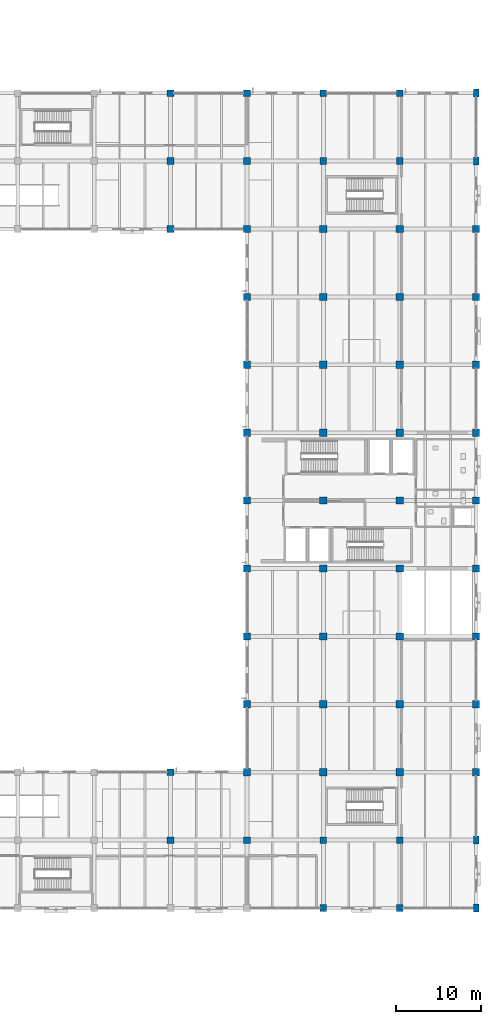
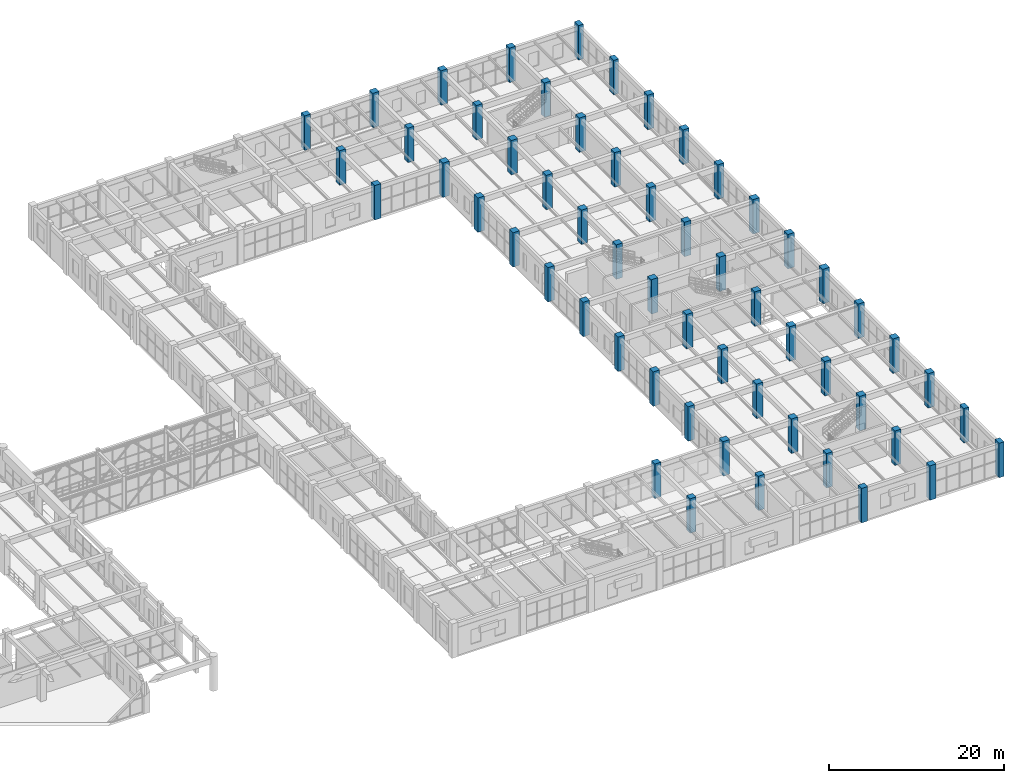
# One storey, part 10 of 178: 56 columns.
"""IFC4 building model written with IfcOpenShell, lengths in metres."""

from ifc_helpers import new_model, si_unit, derived_unit, direction, frame, origin, origin_2d, place, context, subcontext, project, spatial, rectangle, extrude, material, material_profile, profile_set, type_object, element, save


model = new_model("IFC4")

# Units and contexts
model_context = context("Model", 3, precision=1e-05, world=origin(), true_north=direction((0.0, 1.0)))
body_context = subcontext(model_context, "Body", "Model", "MODEL_VIEW")
ifc_project = project(units=[si_unit("LENGTHUNIT", "METRE"), si_unit("AREAUNIT", "SQUARE_METRE"), si_unit("VOLUMEUNIT", "CUBIC_METRE"), si_unit("PLANEANGLEUNIT", "RADIAN"), si_unit("MASSUNIT", "GRAM", prefix="KILO"), derived_unit("THERMALTRANSMITTANCEUNIT", [(si_unit("MASSUNIT", "GRAM", prefix="KILO"), 1), (si_unit("TIMEUNIT", "SECOND"), -3), (si_unit("THERMODYNAMICTEMPERATUREUNIT", "KELVIN"), -1)])], contexts=[model_context])

# Site, building, storey
site_placement = place(None, origin())
site = spatial("IfcSite", under=ifc_project, at=site_placement, CompositionType="ELEMENT")
building_placement = place(site_placement, origin())
building = spatial("IfcBuilding", under=site, at=building_placement, Name="Zhenchuan Archway Interchange", CompositionType="ELEMENT")
storey_placement = place(building_placement, frame((0.0, 0.0, 5.39990234375)))
storey = spatial("IfcBuildingStorey", under=building, at=storey_placement, Name="L01", CompositionType="ELEMENT", Elevation=5.39990234375)

# Columns
ifc_material_1 = material(Name="Concrete C40", Category="concrete")
ifc_material_profile_1 = material_profile(ifc_material_1, rectangle(XDim=0.64990234375, YDim=0.949951171875, at=origin_2d()), Name="RC 650x950")
ifc_profile_set_1 = profile_set([ifc_material_profile_1], Name="Concrete C40")
column_type_1 = type_object("IfcColumnType", Name="COL_RC_650x950", PredefinedType="COLUMN", material=ifc_profile_set_1)
for number, where, z_axis, x_axis, name in (
    (1, (171.0, 8.0, 0.0), (0.0, 0.0, 1.0), (1.0, 0.0, 0.0), "Column 20/B (L01)"),
    (2, (171.0, 16.0, 0.0), (0.0, 0.0, 1.0), (1.0, 0.0, 0.0), "Column 20/C (L01)"),
    (3, (171.0, 96.0, 0.0), (0.0, 0.0, 1.0), (1.0, 0.0, 0.0), "Column 20/N (L01)"),
    (4, (171.0, 104.0, 0.0), (0.0, 0.0, 1.0), (1.0, 0.0, 0.0), "Column 20/O (L01)"),
):
    element("IfcColumn", number, at=place(storey_placement, frame(where, z_axis=z_axis, x_axis=x_axis)), inside=storey, type_object=column_type_1, Name=name, PredefinedType="COLUMN", context=body_context, shape_type="SweptSolid", body=[
        extrude(rectangle(XDim=0.64990234375, YDim=0.949951171875, at=origin_2d()), origin(), (0.0, 0.0, 1.0), 4.800048828125),
    ])
ifc_material_profile_2 = material_profile(ifc_material_1, rectangle(XDim=0.800048828125, YDim=0.800048828125, at=origin_2d()), Name="RC 800x800")
ifc_profile_set_2 = profile_set([ifc_material_profile_2], Name="Concrete C40")
column_type_2 = type_object("IfcColumnType", Name="COL_RC_800", PredefinedType="COLUMN", material=ifc_profile_set_2)
for number, where, z_axis, x_axis, name in (
    (5, (135.0, 16.0, 0.0), (0.0, 0.0, 1.0), (1.0, 0.0, 0.0), "Column 16/C (L01)"),
    (6, (135.0, 24.0, 0.0), (0.0, 0.0, 1.0), (1.0, 0.0, 0.0), "Column 16/D (L01)"),
    (7, (135.0, 88.0, 0.0), (0.0, 0.0, 1.0), (1.0, 0.0, 0.0), "Column 16/M (L01)"),
    (8, (135.0, 96.0, 0.0), (0.0, 0.0, 1.0), (1.0, 0.0, 0.0), "Column 16/N (L01)"),
    (9, (135.0, 104.0, 0.0), (0.0, 0.0, 1.0), (1.0, 0.0, 0.0), "Column 16/O (L01)"),
    (10, (144.0, 16.0, 0.0), (0.0, 0.0, 1.0), (1.0, 0.0, 0.0), "Column 17/C (L01)"),
    (11, (144.0, 96.0, 0.0), (0.0, 0.0, 1.0), (1.0, 0.0, 0.0), "Column 17/N (L01)"),
    (12, (144.0, 104.0, 0.0), (0.0, 0.0, 1.0), (1.0, 0.0, 0.0), "Column 17/O (L01)"),
    (13, (153.0, 8.0, 0.0), (0.0, 0.0, 1.0), (1.0, 0.0, 0.0), "Column 18/B (L01)"),
    (14, (153.0, 16.0, 0.0), (0.0, 0.0, 1.0), (1.0, 0.0, 0.0), "Column 18/C (L01)"),
    (15, (153.0, 96.0, 0.0), (0.0, 0.0, 1.0), (1.0, 0.0, 0.0), "Column 18/N (L01)"),
    (16, (153.0, 104.0, 0.0), (0.0, 0.0, 1.0), (1.0, 0.0, 0.0), "Column 18/O (L01)"),
    (17, (162.0, 8.0, 0.0), (0.0, 0.0, 1.0), (1.0, 0.0, 0.0), "Column 19/B (L01)"),
    (18, (162.0, 16.0, 0.0), (0.0, 0.0, 1.0), (1.0, 0.0, 0.0), "Column 19/C (L01)"),
    (19, (162.0, 96.0, 0.0), (0.0, 0.0, 1.0), (1.0, 0.0, 0.0), "Column 19/N (L01)"),
    (20, (162.0, 104.0, 0.0), (0.0, 0.0, 1.0), (1.0, 0.0, 0.0), "Column 19/O (L01)"),
):
    element("IfcColumn", number, at=place(storey_placement, frame(where, z_axis=z_axis, x_axis=x_axis)), inside=storey, type_object=column_type_2, Name=name, PredefinedType="COLUMN", context=body_context, shape_type="SweptSolid", body=[
        extrude(rectangle(XDim=0.800048828125, YDim=0.800048828125, at=origin_2d()), origin(), (0.0, 0.0, 1.0), 4.800048828125),
    ])
ifc_material_2 = material(Name="Concrete C50", Category="concrete")
ifc_material_profile_3 = material_profile(ifc_material_2, rectangle(XDim=0.85009765625, YDim=0.85009765625, at=origin_2d()), Name="RC 850x850")
ifc_profile_set_3 = profile_set([ifc_material_profile_3], Name="Concrete C50")
column_type_3 = type_object("IfcColumnType", Name="COL_RC_850_T", PredefinedType="COLUMN", material=ifc_profile_set_3)
for number, where, z_axis, x_axis, name in (
    (21, (144.0, 24.0, 0.0), (0.0, 0.0, 1.0), (1.0, 0.0, 0.0), "Column 17/D (L01)"),
    (22, (144.0, 32.0, 0.0), (0.0, 0.0, 1.0), (1.0, 0.0, 0.0), "Column 17/E (L01)"),
    (23, (144.0, 40.0, 0.0), (0.0, 0.0, 1.0), (1.0, 0.0, 0.0), "Column 17/F (L01)"),
    (24, (144.0, 48.0, 0.0), (0.0, 0.0, 1.0), (1.0, 0.0, 0.0), "Column 17/G (L01)"),
    (25, (144.0, 56.0, 0.0), (0.0, 0.0, 1.0), (1.0, 0.0, 0.0), "Column 17/H (L01)"),
    (26, (144.0, 64.0, 0.0), (0.0, 0.0, 1.0), (1.0, 0.0, 0.0), "Column 17/J (L01)"),
    (27, (144.0, 72.0, 0.0), (0.0, 0.0, 1.0), (1.0, 0.0, 0.0), "Column 17/K (L01)"),
    (28, (144.0, 80.0, 0.0), (0.0, 0.0, 1.0), (1.0, 0.0, 0.0), "Column 17/L (L01)"),
    (29, (144.0, 88.0, 0.0), (0.0, 0.0, 1.0), (1.0, 0.0, 0.0), "Column 17/M (L01)"),
    (30, (153.0, 24.0, 0.0), (0.0, 0.0, 1.0), (1.0, 0.0, 0.0), "Column 18/D (L01)"),
    (31, (153.0, 32.0, 0.0), (0.0, 0.0, 1.0), (1.0, 0.0, 0.0), "Column 18/E (L01)"),
    (32, (153.0, 40.0, 0.0), (0.0, 0.0, 1.0), (1.0, 0.0, 0.0), "Column 18/F (L01)"),
    (33, (153.0, 48.0, 0.0), (0.0, 0.0, 1.0), (1.0, 0.0, 0.0), "Column 18/G (L01)"),
    (34, (153.0, 56.0, 0.0), (0.0, 0.0, 1.0), (1.0, 0.0, 0.0), "Column 18/H (L01)"),
    (35, (153.0, 64.0, 0.0), (0.0, 0.0, 1.0), (1.0, 0.0, 0.0), "Column 18/J (L01)"),
    (36, (153.0, 72.0, 0.0), (0.0, 0.0, 1.0), (1.0, 0.0, 0.0), "Column 18/K (L01)"),
    (37, (153.0, 80.0, 0.0), (0.0, 0.0, 1.0), (1.0, 0.0, 0.0), "Column 18/L (L01)"),
    (38, (153.0, 88.0, 0.0), (0.0, 0.0, 1.0), (1.0, 0.0, 0.0), "Column 18/M (L01)"),
    (39, (162.0, 24.0, 0.0), (0.0, 0.0, 1.0), (1.0, 0.0, 0.0), "Column 19/D (L01)"),
    (40, (162.0, 32.0, 0.0), (0.0, 0.0, 1.0), (1.0, 0.0, 0.0), "Column 19/E (L01)"),
    (41, (162.0, 40.0, 0.0), (0.0, 0.0, 1.0), (1.0, 0.0, 0.0), "Column 19/F (L01)"),
    (42, (162.0, 48.0, 0.0), (0.0, 0.0, 1.0), (1.0, 0.0, 0.0), "Column 19/G (L01)"),
    (43, (162.0, 56.0, 0.0), (0.0, 0.0, 1.0), (1.0, 0.0, 0.0), "Column 19/H (L01)"),
    (44, (162.0, 64.0, 0.0), (0.0, 0.0, 1.0), (1.0, 0.0, 0.0), "Column 19/J (L01)"),
    (45, (162.0, 72.0, 0.0), (0.0, 0.0, 1.0), (1.0, 0.0, 0.0), "Column 19/K (L01)"),
    (46, (162.0, 80.0, 0.0), (0.0, 0.0, 1.0), (1.0, 0.0, 0.0), "Column 19/L (L01)"),
    (47, (162.0, 88.0, 0.0), (0.0, 0.0, 1.0), (1.0, 0.0, 0.0), "Column 19/M (L01)"),
    (48, (171.0, 24.0, 0.0), (0.0, 0.0, 1.0), (1.0, 0.0, 0.0), "Column 20/D (L01)"),
    (49, (171.0, 32.0, 0.0), (0.0, 0.0, 1.0), (1.0, 0.0, 0.0), "Column 20/E (L01)"),
    (50, (171.0, 40.0, 0.0), (0.0, 0.0, 1.0), (1.0, 0.0, 0.0), "Column 20/F (L01)"),
    (51, (171.0, 48.0, 0.0), (0.0, 0.0, 1.0), (1.0, 0.0, 0.0), "Column 20/G (L01)"),
    (52, (171.0, 56.0, 0.0), (0.0, 0.0, 1.0), (1.0, 0.0, 0.0), "Column 20/H (L01)"),
    (53, (171.0, 64.0, 0.0), (0.0, 0.0, 1.0), (1.0, 0.0, 0.0), "Column 20/J (L01)"),
    (54, (171.0, 72.0, 0.0), (0.0, 0.0, 1.0), (1.0, 0.0, 0.0), "Column 20/K (L01)"),
    (55, (171.0, 80.0, 0.0), (0.0, 0.0, 1.0), (1.0, 0.0, 0.0), "Column 20/L (L01)"),
    (56, (171.0, 88.0, 0.0), (0.0, 0.0, 1.0), (1.0, 0.0, 0.0), "Column 20/M (L01)"),
):
    element("IfcColumn", number, at=place(storey_placement, frame(where, z_axis=z_axis, x_axis=x_axis)), inside=storey, type_object=column_type_3, Name=name, PredefinedType="COLUMN", context=body_context, shape_type="SweptSolid", body=[
        extrude(rectangle(XDim=0.85009765625, YDim=0.85009765625, at=origin_2d()), origin(), (0.0, 0.0, 1.0), 4.800048828125),
    ])

save(model, "model.ifc")
